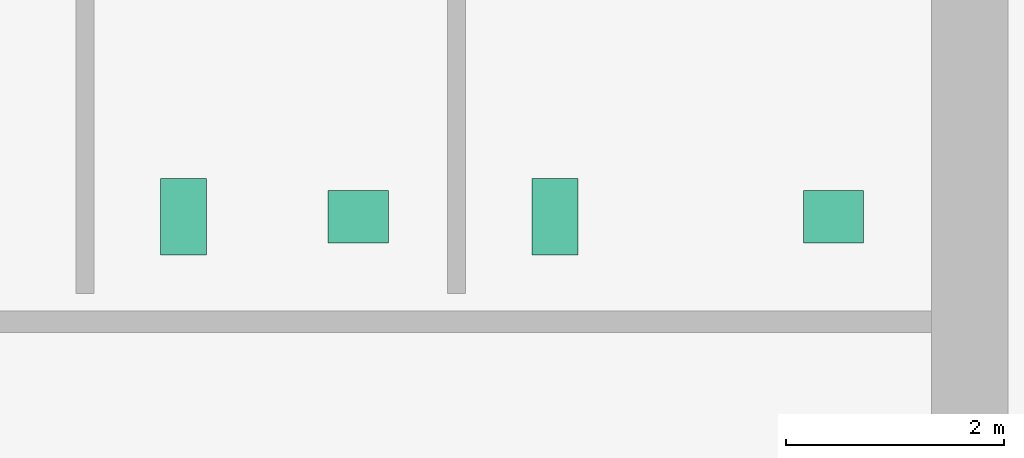
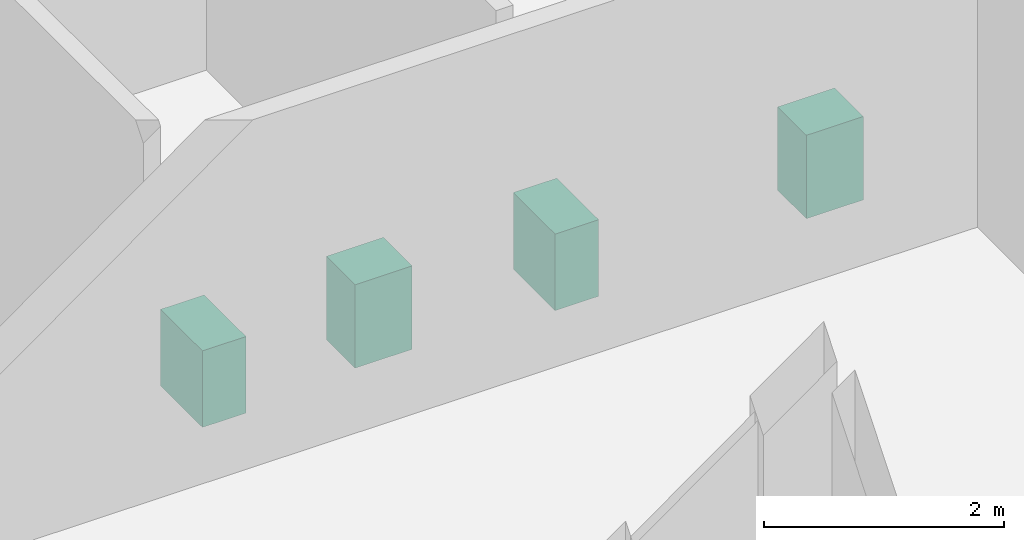
# One storey, part 16 of 16: 4 sanitary terminals.
"""IFC4 building model written with IfcOpenShell, lengths in metres."""

from ifc_helpers import new_model, si_unit, direction, frame, origin, origin_2d, place, context, subcontext, project, spatial, rectangle, extrude, material, type_object, element, save


model = new_model("IFC4")

# Units and contexts
model_context = context("Model", 3, precision=1e-05, world=origin(), true_north=direction((0.0, 1.0)))
body_context = subcontext(model_context, "Body", "Model", "MODEL_VIEW")
ifc_project = project(units=[si_unit("LENGTHUNIT", "METRE"), si_unit("AREAUNIT", "SQUARE_METRE"), si_unit("VOLUMEUNIT", "CUBIC_METRE"), si_unit("PLANEANGLEUNIT", "RADIAN"), si_unit("MASSUNIT", "GRAM", prefix="KILO")], contexts=[model_context])

# Site, building, storey
site_placement = place(None, origin())
site = spatial("IfcSite", under=ifc_project, at=site_placement, CompositionType="ELEMENT")
building_placement = place(site_placement, origin())
building = spatial("IfcBuilding", under=site, at=building_placement, Name="Norrvale University Quadrangle", CompositionType="ELEMENT")
storey_placement = place(building_placement, frame((0.0, 0.0, 167.39990234375)))
storey = spatial("IfcBuildingStorey", under=building, at=storey_placement, Name="L42", CompositionType="ELEMENT", Elevation=167.39990234375)

# Sanitary terminals
ifc_material = material(Name="Vitreous China Sanitaryware")
sanitary_terminal_type_1 = type_object("IfcSanitaryTerminalType", Name="Sanitary Wash Basin", PredefinedType="WASHHANDBASIN", material=ifc_material)
for number, where, z_axis, x_axis, name in (
    (1, (11.199951171875, 41.10009765625, 0.0), (0.0, 0.0, 1.0), (1.0, 0.0, 0.0), "Accessible Countertop Washbasin L42-1"),
    (2, (15.550048828125, 41.10009765625, 0.0), (0.0, 0.0, 1.0), (1.0, 0.0, 0.0), "Accessible Countertop Washbasin L42-2"),
):
    element("IfcSanitaryTerminal", number, at=place(storey_placement, frame(where, z_axis=z_axis, x_axis=x_axis)), inside=storey, type_object=sanitary_terminal_type_1, Name=name, PredefinedType="WASHHANDBASIN", context=body_context, shape_type="SweptSolid", body=[
        extrude(rectangle(XDim=0.550048828125, YDim=0.47998046875, at=origin_2d()), origin(), (0.0, 0.0, 1.0), 0.85009765625),
    ])
sanitary_terminal_type_2 = type_object("IfcSanitaryTerminalType", Name="Sanitary Water Closet", PredefinedType="TOILETPAN", material=ifc_material)
for number, where, z_axis, x_axis, name in (
    (3, (9.60009765625, 41.10009765625, 0.0), (0.0, 0.0, 1.0), (1.0, 0.0, 0.0), "Wall-Hung Water Closet L42-1"),
    (4, (13.0, 41.10009765625, 0.0), (0.0, 0.0, 1.0), (1.0, 0.0, 0.0), "Wall-Hung Water Closet L42-2"),
):
    element("IfcSanitaryTerminal", number, at=place(storey_placement, frame(where, z_axis=z_axis, x_axis=x_axis)), inside=storey, type_object=sanitary_terminal_type_2, Name=name, PredefinedType="TOILETPAN", context=body_context, shape_type="SweptSolid", body=[
        extrude(rectangle(XDim=0.419921875, YDim=0.699951171875, at=origin_2d()), origin(), (0.0, 0.0, 1.0), 0.780029296875),
    ])

save(model, "model.ifc")
